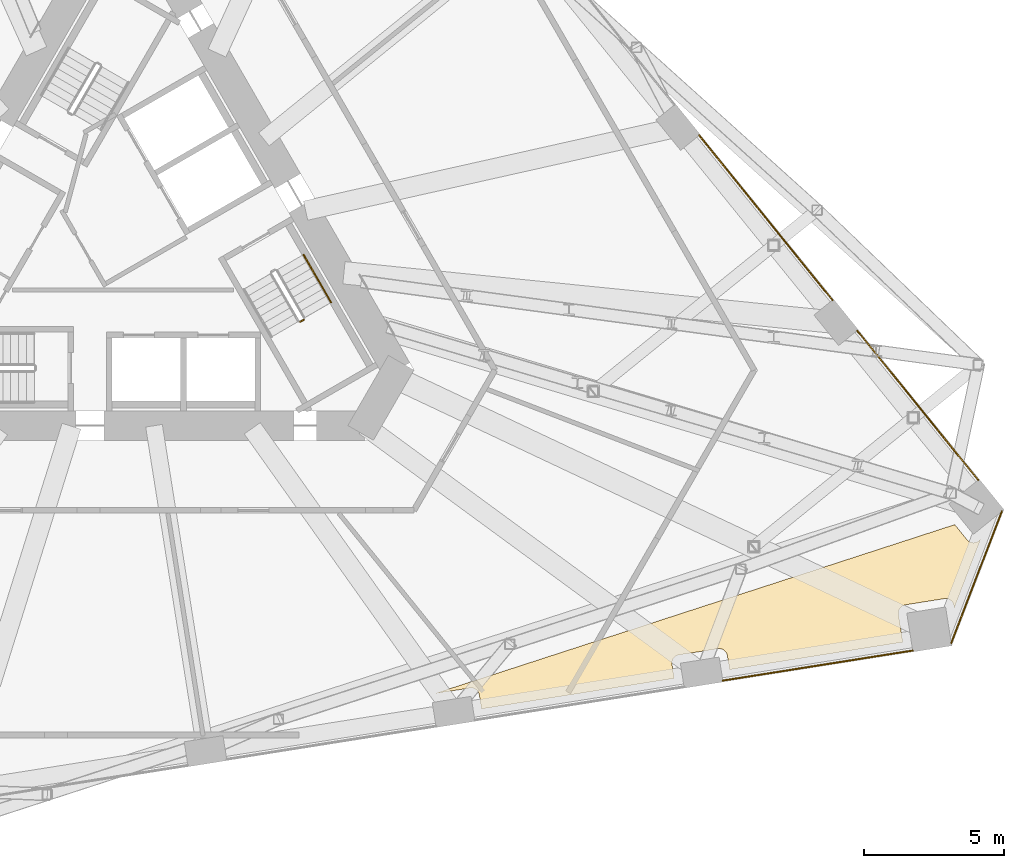
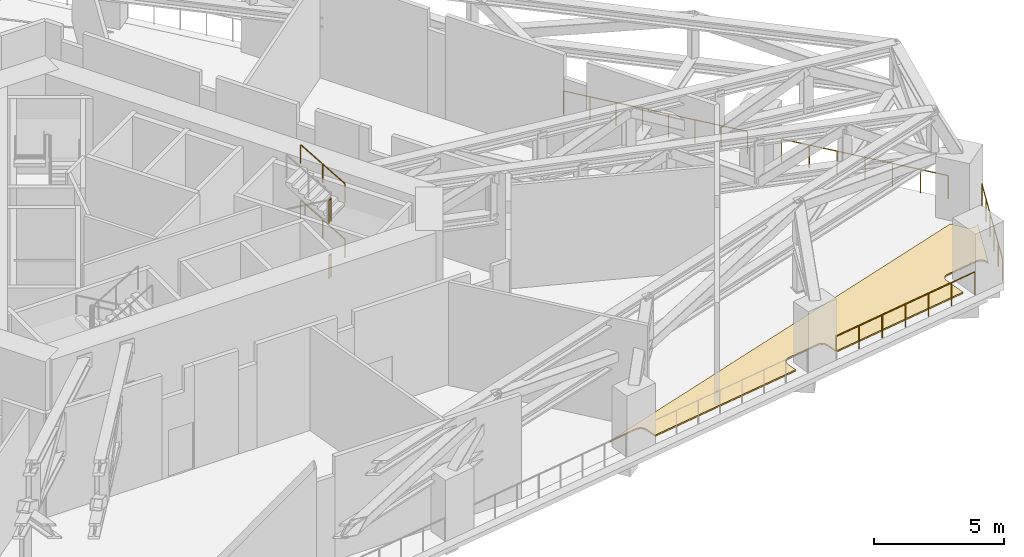
# One storey, part 19 of 20: 8 railings, 2 coverings.
"""IFC4 building model written with IfcOpenShell, lengths in metres."""

from ifc_helpers import new_model, si_unit, direction, frame, origin, origin_2d, place, context, subcontext, project, spatial, polyline, circle, outline, extrude, material, layer, layer_set, type_object, element, save


model = new_model("IFC4")

# Units and contexts
model_context = context("Model", 3, precision=1e-05, world=origin(), true_north=direction((0.0, 1.0)))
body_context = subcontext(model_context, "Body", "Model", "MODEL_VIEW")
ifc_project = project(units=[si_unit("LENGTHUNIT", "METRE"), si_unit("AREAUNIT", "SQUARE_METRE"), si_unit("VOLUMEUNIT", "CUBIC_METRE"), si_unit("PLANEANGLEUNIT", "RADIAN"), si_unit("MASSUNIT", "GRAM", prefix="KILO")], contexts=[model_context])

# Site, building, storey
site_placement = place(None, origin())
site = spatial("IfcSite", under=ifc_project, at=site_placement, CompositionType="ELEMENT")
building_placement = place(site_placement, origin())
building = spatial("IfcBuilding", under=site, at=building_placement, Name="Tramontana Tower", CompositionType="ELEMENT")
storey_placement = place(building_placement, frame((0.0, 0.0, 83.199951171875)))
storey = spatial("IfcBuildingStorey", under=building, at=storey_placement, Name="L18", CompositionType="ELEMENT", Elevation=83.199951171875)

# Railings
ifc_material_1 = material(Name="Stainless steel rail and posts", Category="steel")
railing_type_1 = type_object("IfcRailingType", Name="GD2 Terrace guard 1100", PredefinedType="GUARDRAIL", material=ifc_material_1)
railing_1_placement = place(storey_placement, frame((25.161376953125, -1.75439453125, 0.0)))
element("IfcRailing", 1, at=railing_1_placement, inside=storey, type_object=railing_type_1, Name="Edge guard L18 18", PredefinedType="GUARDRAIL", context=body_context, shape_type="SweptSolid", body=[
    extrude(circle(Radius=0.02392578125, at=origin_2d()), frame((0.0, 0.0, 1.076171875), z_axis=(-0.629318236282, 0.777147706349, 0.0), x_axis=(-0.777147706349, -0.629318236282, 0.0)), (0.0, 0.0, 1.0), 7.549072265625),
    extrude(circle(Radius=0.02099609375, at=origin_2d()), origin(), (0.0, 0.0, 1.0), 1.052001953125),
    extrude(circle(Radius=0.02099609375, at=origin_2d()), frame((-0.6787109375, 0.838134765625, 0.0)), (0.0, 0.0, 1.0), 1.052001953125),
    extrude(circle(Radius=0.02099609375, at=origin_2d()), frame((-1.357421875, 1.67626953125, 0.0)), (0.0, 0.0, 1.0), 1.052001953125),
    extrude(circle(Radius=0.02099609375, at=origin_2d()), frame((-2.0361328125, 2.514404296875, 0.0)), (0.0, 0.0, 1.0), 1.052001953125),
    extrude(circle(Radius=0.02099609375, at=origin_2d()), frame((-2.714599609375, 3.352294921875, 0.0)), (0.0, 0.0, 1.0), 1.052001953125),
    extrude(circle(Radius=0.02099609375, at=origin_2d()), frame((-3.393310546875, 4.1904296875, 0.0)), (0.0, 0.0, 1.0), 1.052001953125),
    extrude(circle(Radius=0.02099609375, at=origin_2d()), frame((-4.072021484375, 5.028564453125, 0.0)), (0.0, 0.0, 1.0), 1.052001953125),
    extrude(circle(Radius=0.02099609375, at=origin_2d()), frame((-4.750732421875, 5.86669921875, 0.0)), (0.0, 0.0, 1.0), 1.052001953125),
])
railing_2_placement = place(storey_placement, frame((21.255126953125, -15.3134765625, 0.0)))
element("IfcRailing", 2, at=railing_2_placement, inside=storey, type_object=railing_type_1, Name="Edge guard L18 19", PredefinedType="GUARDRAIL", context=body_context, shape_type="SweptSolid", body=[
    extrude(circle(Radius=0.02392578125, at=origin_2d()), frame((0.0, 0.0, 1.076171875), z_axis=(0.987691182792, 0.156416519059, 0.0), x_axis=(-0.156416519059, 0.987691182792, 0.0)), (0.0, 0.0, 1.0), 6.848876953125),
    extrude(circle(Radius=0.02099609375, at=origin_2d()), origin(), (0.0, 0.0, 1.0), 1.052001953125),
    extrude(circle(Radius=0.02099609375, at=origin_2d()), frame((1.12744140625, 0.178466796875, 0.0)), (0.0, 0.0, 1.0), 1.052001953125),
    extrude(circle(Radius=0.02099609375, at=origin_2d()), frame((2.2548828125, 0.357177734375, 0.0)), (0.0, 0.0, 1.0), 1.052001953125),
    extrude(circle(Radius=0.02099609375, at=origin_2d()), frame((3.38232421875, 0.53564453125, 0.0)), (0.0, 0.0, 1.0), 1.052001953125),
    extrude(circle(Radius=0.02099609375, at=origin_2d()), frame((4.509765625, 0.714111328125, 0.0)), (0.0, 0.0, 1.0), 1.052001953125),
    extrude(circle(Radius=0.02099609375, at=origin_2d()), frame((5.63720703125, 0.892822265625, 0.0)), (0.0, 0.0, 1.0), 1.052001953125),
    extrude(circle(Radius=0.02099609375, at=origin_2d()), frame((6.7646484375, 1.0712890625, 0.0)), (0.0, 0.0, 1.0), 1.052001953125),
])
railing_3_placement = place(storey_placement, frame((30.3525390625, -8.164794921875, 0.0)))
element("IfcRailing", 3, at=railing_3_placement, inside=storey, type_object=railing_type_1, Name="Edge guard L18 20", PredefinedType="GUARDRAIL", context=body_context, shape_type="SweptSolid", body=[
    extrude(circle(Radius=0.02392578125, at=origin_2d()), frame((0.0, 0.0, 1.076171875), z_axis=(-0.629339730135, 0.777130300576, 0.0), x_axis=(-0.777130300576, -0.629339730135, 0.0)), (0.0, 0.0, 1.0), 6.848876953125),
    extrude(circle(Radius=0.02099609375, at=origin_2d()), origin(), (0.0, 0.0, 1.0), 1.052001953125),
    extrude(circle(Radius=0.02099609375, at=origin_2d()), frame((-0.71826171875, 0.88720703125, 0.0)), (0.0, 0.0, 1.0), 1.052001953125),
    extrude(circle(Radius=0.02099609375, at=origin_2d()), frame((-1.436767578125, 1.774169921875, 0.0)), (0.0, 0.0, 1.0), 1.052001953125),
    extrude(circle(Radius=0.02099609375, at=origin_2d()), frame((-2.1552734375, 2.6611328125, 0.0)), (0.0, 0.0, 1.0), 1.052001953125),
    extrude(circle(Radius=0.02099609375, at=origin_2d()), frame((-2.87353515625, 3.54833984375, 0.0)), (0.0, 0.0, 1.0), 1.052001953125),
    extrude(circle(Radius=0.02099609375, at=origin_2d()), frame((-3.591796875, 4.435546875, 0.0)), (0.0, 0.0, 1.0), 1.052001953125),
    extrude(circle(Radius=0.02099609375, at=origin_2d()), frame((-4.310302734375, 5.322509765625, 0.0)), (0.0, 0.0, 1.0), 1.052001953125),
])
railing_4_placement = place(storey_placement, frame((29.39453125, -13.9736328125, 0.0)))
element("IfcRailing", 4, at=railing_4_placement, inside=storey, type_object=railing_type_1, Name="Edge guard L18 21", PredefinedType="GUARDRAIL", context=body_context, shape_type="SweptSolid", body=[
    extrude(circle(Radius=0.02392578125, at=origin_2d()), frame((0.0, 0.0, 1.076171875), z_axis=(0.358415543075, 0.933562155661, 0.0), x_axis=(-0.933562155661, 0.358415543075, 0.0)), (0.0, 0.0, 1.0), 5.02294921875),
    extrude(circle(Radius=0.02099609375, at=origin_2d()), origin(), (0.0, 0.0, 1.0), 1.052001953125),
    extrude(circle(Radius=0.02099609375, at=origin_2d()), frame((0.360107421875, 0.937744140625, 0.0)), (0.0, 0.0, 1.0), 1.052001953125),
    extrude(circle(Radius=0.02099609375, at=origin_2d()), frame((0.72021484375, 1.875732421875, 0.0)), (0.0, 0.0, 1.0), 1.052001953125),
    extrude(circle(Radius=0.02099609375, at=origin_2d()), frame((1.080078125, 2.8134765625, 0.0)), (0.0, 0.0, 1.0), 1.052001953125),
    extrude(circle(Radius=0.02099609375, at=origin_2d()), frame((1.440185546875, 3.75146484375, 0.0)), (0.0, 0.0, 1.0), 1.052001953125),
    extrude(circle(Radius=0.02099609375, at=origin_2d()), frame((1.80029296875, 4.689208984375, 0.0)), (0.0, 0.0, 1.0), 1.052001953125),
])

# Covering
ifc_material_2 = material(Name="Limestone paving 60", Category="masonry")
ifc_layer_1 = layer(ifc_material_2, 0.06005859375)
ifc_layer_set_1 = layer_set([ifc_layer_1], Name="PV1 Terrace paving 60")
covering_type_1 = type_object("IfcCoveringType", Name="PV1 Terrace paving 60", PredefinedType="FLOORING", material=ifc_layer_set_1)
covering_1_placement = place(storey_placement, frame((0.0, 0.0, 0.010009765625)))
element("IfcCovering", 5, at=covering_1_placement, inside=storey, type_object=covering_type_1, Name="Terrace paving L18 3", PredefinedType="FLOORING", context=body_context, shape_type="SweptSolid", body=[
    extrude(outline(polyline([(29.500244140625, -12.72216796875), (29.487548828125, -12.642822265625), (29.481689453125, -12.614013671875), (29.47265625, -12.5859375), (29.461181640625, -12.558837890625), (29.447021484375, -12.532958984375), (29.430419921875, -12.508544921875), (29.41162109375, -12.486083984375), (29.390625, -12.465576171875), (29.36767578125, -12.447021484375), (29.343017578125, -12.430908203125), (29.31689453125, -12.417236328125), (29.28955078125, -12.40625), (29.26123046875, -12.39794921875), (29.232421875, -12.392578125), (29.203125, -12.389892578125), (29.173583984375, -12.39013671875), (29.144287109375, -12.393310546875), (27.761474609375, -12.6123046875), (27.732666015625, -12.618408203125), (27.70458984375, -12.627197265625), (27.677490234375, -12.638671875), (27.65185546875, -12.65283203125), (27.62744140625, -12.66943359375), (27.60498046875, -12.6884765625), (27.584228515625, -12.70947265625), (27.56591796875, -12.732421875), (27.5498046875, -12.757080078125), (27.5361328125, -12.783203125), (27.525146484375, -12.810546875), (27.516845703125, -12.838623046875), (27.511474609375, -12.86767578125), (27.5087890625, -12.89697265625), (27.509033203125, -12.92626953125), (27.51220703125, -12.95556640625), (27.668701171875, -13.943359375), (21.49658203125, -14.9208984375), (21.41845703125, -14.427001953125), (21.412353515625, -14.398193359375), (21.403564453125, -14.3701171875), (21.39208984375, -14.343017578125), (21.3779296875, -14.317138671875), (21.361328125, -14.29296875), (21.342529296875, -14.270263671875), (21.3212890625, -14.249755859375), (21.298583984375, -14.231201171875), (21.27392578125, -14.215087890625), (21.247802734375, -14.201416015625), (21.220458984375, -14.1904296875), (21.192138671875, -14.182373046875), (21.163330078125, -14.1767578125), (21.134033203125, -14.17431640625), (21.1044921875, -14.174560546875), (21.0751953125, -14.177734375), (19.6923828125, -14.396728515625), (19.66357421875, -14.402587890625), (19.635498046875, -14.41162109375), (19.6083984375, -14.423095703125), (19.58251953125, -14.437255859375), (19.558349609375, -14.453857421875), (19.53564453125, -14.47265625), (19.51513671875, -14.49365234375), (19.49658203125, -14.5166015625), (19.48046875, -14.541259765625), (19.467041015625, -14.5673828125), (19.455810546875, -14.5947265625), (19.44775390625, -14.623046875), (19.442138671875, -14.65185546875), (19.439697265625, -14.68115234375), (19.43994140625, -14.710693359375), (19.443115234375, -14.739990234375), (19.521240234375, -15.233642578125), (12.657958984375, -16.32080078125), (12.57958984375, -15.826904296875), (12.57373046875, -15.798095703125), (12.56494140625, -15.77001953125), (12.55322265625, -15.742919921875), (12.5390625, -15.717041015625), (12.5224609375, -15.69287109375), (12.503662109375, -15.670166015625), (12.482666015625, -15.649658203125), (12.459716796875, -15.631103515625), (12.43505859375, -15.614990234375), (12.408935546875, -15.6015625), (12.381591796875, -15.59033203125), (12.353515625, -15.582275390625), (12.324462890625, -15.57666015625), (12.295166015625, -15.57421875), (12.265625, -15.574462890625), (12.236572265625, -15.57763671875), (10.996337890625, -15.77392578125), (29.517822265625, -9.756103515625), (29.951171875, -10.291259765625), (29.970947265625, -10.313232421875), (29.99267578125, -10.333251953125), (30.01611328125, -10.350830078125), (30.041259765625, -10.3662109375), (30.06787109375, -10.37890625), (30.095458984375, -10.388916015625), (30.1240234375, -10.396240234375), (30.153076171875, -10.40087890625), (30.182373046875, -10.402587890625), (30.2119140625, -10.401123046875), (30.240966796875, -10.397216796875), (30.26953125, -10.39013671875), (30.29736328125, -10.38037109375), (30.32421875, -10.367919921875), (30.349365234375, -10.35302734375), (30.373291015625, -10.335693359375), (30.435791015625, -10.28515625), (29.500244140625, -12.72216796875)])), origin(), (0.0, 0.0, 1.0), 0.06005859375),
])

# Railings
ifc_material_3 = material(Name="Painted steel", Category="steel")
railing_type_2 = type_object("IfcRailingType", Name="STAIR GUARD 1100", PredefinedType="GUARDRAIL", material=ifc_material_3)
for number, where, name in (
    (6, (6.19580078125, -2.53125, 1.300048828125), "L18 ST3 stair guard 5"),
    (7, (6.19580078125, -2.53125, 3.900146484375), "L18 ST3 stair guard 7"),
):
    element("IfcRailing", number, at=place(storey_placement, frame(where)), inside=storey, type_object=railing_type_2, Name=name, PredefinedType="GUARDRAIL", context=body_context, shape_type="SweptSolid", body=[
        extrude(circle(Radius=0.02392578125, at=origin_2d()), frame((0.0, 0.0, 1.076171875), z_axis=(0.866131372301, 0.499816412211, 0.0), x_axis=(-0.499816412211, 0.866131372301, 0.0)), (0.0, 0.0, 1.0), 0.14990234375),
        extrude(circle(Radius=0.02099609375, at=origin_2d()), origin(), (0.0, 0.0, 1.0), 1.052001953125),
        extrude(circle(Radius=0.02099609375, at=origin_2d()), frame((0.1298828125, 0.074951171875, 0.0)), (0.0, 0.0, 1.0), 1.052001953125),
    ])
ifc_material_4 = material(Name="Painted steel", Category="steel")
railing_type_3 = type_object("IfcRailingType", Name="STAIR HANDRAIL 900", PredefinedType="HANDRAIL", material=ifc_material_4)
for number, where, name in (
    (8, (7.296630859375, -1.837890625, 1.462646484375), "L18 ST3 stair handrail 2"),
    (9, (7.296630859375, -1.837890625, 4.0625), "L18 ST3 stair handrail 4"),
):
    element("IfcRailing", number, at=place(storey_placement, frame(where)), inside=storey, type_object=railing_type_3, Name=name, PredefinedType="HANDRAIL", context=body_context, shape_type="SweptSolid", body=[
        extrude(circle(Radius=0.02392578125, at=origin_2d()), frame((0.0, 0.0, 0.8759765625), z_axis=(-0.432466826973, 0.749005824891, 0.501958880634), x_axis=(-0.866011328839, -0.500024377727, 0.0)), (0.0, 0.0, 1.0), 2.26611328125),
        extrude(circle(Radius=0.02099609375, at=origin_2d()), origin(), (0.0, 0.0, 1.0), 0.851806640625),
        extrude(circle(Radius=0.02099609375, at=origin_2d()), frame((-0.489990234375, 0.8486328125, 0.56884765625)), (0.0, 0.0, 1.0), 0.851806640625),
        extrude(circle(Radius=0.02099609375, at=origin_2d()), frame((-0.97998046875, 1.697265625, 1.137451171875)), (0.0, 0.0, 1.0), 0.851806640625),
    ])

# Covering
ifc_material_5 = material(Name="Bituminous waterproofing membrane")
ifc_layer_2 = layer(ifc_material_5, 0.010009765625)
ifc_layer_set_2 = layer_set([ifc_layer_2], Name="WP1 Terrace waterproofing membrane 10")
covering_type_2 = type_object("IfcCoveringType", Name="WP1 Terrace waterproofing membrane 10", PredefinedType="MEMBRANE", material=ifc_layer_set_2)
covering_2_placement = place(storey_placement, origin())
element("IfcCovering", 10, at=covering_2_placement, inside=storey, type_object=covering_type_2, Name="Terrace membrane L18 3", PredefinedType="MEMBRANE", context=body_context, shape_type="SweptSolid", body=[
    extrude(outline(polyline([(29.500244140625, -12.72216796875), (29.487548828125, -12.642822265625), (29.481689453125, -12.614013671875), (29.47265625, -12.5859375), (29.461181640625, -12.558837890625), (29.447021484375, -12.532958984375), (29.430419921875, -12.508544921875), (29.41162109375, -12.486083984375), (29.390625, -12.465576171875), (29.36767578125, -12.447021484375), (29.343017578125, -12.430908203125), (29.31689453125, -12.417236328125), (29.28955078125, -12.40625), (29.26123046875, -12.39794921875), (29.232421875, -12.392578125), (29.203125, -12.389892578125), (29.173583984375, -12.39013671875), (29.144287109375, -12.393310546875), (27.761474609375, -12.6123046875), (27.732666015625, -12.618408203125), (27.70458984375, -12.627197265625), (27.677490234375, -12.638671875), (27.65185546875, -12.65283203125), (27.62744140625, -12.66943359375), (27.60498046875, -12.6884765625), (27.584228515625, -12.70947265625), (27.56591796875, -12.732421875), (27.5498046875, -12.757080078125), (27.5361328125, -12.783203125), (27.525146484375, -12.810546875), (27.516845703125, -12.838623046875), (27.511474609375, -12.86767578125), (27.5087890625, -12.89697265625), (27.509033203125, -12.92626953125), (27.51220703125, -12.95556640625), (27.668701171875, -13.943359375), (21.49658203125, -14.9208984375), (21.41845703125, -14.427001953125), (21.412353515625, -14.398193359375), (21.403564453125, -14.3701171875), (21.39208984375, -14.343017578125), (21.3779296875, -14.317138671875), (21.361328125, -14.29296875), (21.342529296875, -14.270263671875), (21.3212890625, -14.249755859375), (21.298583984375, -14.231201171875), (21.27392578125, -14.215087890625), (21.247802734375, -14.201416015625), (21.220458984375, -14.1904296875), (21.192138671875, -14.182373046875), (21.163330078125, -14.1767578125), (21.134033203125, -14.17431640625), (21.1044921875, -14.174560546875), (21.0751953125, -14.177734375), (19.6923828125, -14.396728515625), (19.66357421875, -14.402587890625), (19.635498046875, -14.41162109375), (19.6083984375, -14.423095703125), (19.58251953125, -14.437255859375), (19.558349609375, -14.453857421875), (19.53564453125, -14.47265625), (19.51513671875, -14.49365234375), (19.49658203125, -14.5166015625), (19.48046875, -14.541259765625), (19.467041015625, -14.5673828125), (19.455810546875, -14.5947265625), (19.44775390625, -14.623046875), (19.442138671875, -14.65185546875), (19.439697265625, -14.68115234375), (19.43994140625, -14.710693359375), (19.443115234375, -14.739990234375), (19.521240234375, -15.233642578125), (12.657958984375, -16.32080078125), (12.57958984375, -15.826904296875), (12.57373046875, -15.798095703125), (12.56494140625, -15.77001953125), (12.55322265625, -15.742919921875), (12.5390625, -15.717041015625), (12.5224609375, -15.69287109375), (12.503662109375, -15.670166015625), (12.482666015625, -15.649658203125), (12.459716796875, -15.631103515625), (12.43505859375, -15.614990234375), (12.408935546875, -15.6015625), (12.381591796875, -15.59033203125), (12.353515625, -15.582275390625), (12.324462890625, -15.57666015625), (12.295166015625, -15.57421875), (12.265625, -15.574462890625), (12.236572265625, -15.57763671875), (10.996337890625, -15.77392578125), (29.517822265625, -9.756103515625), (29.951171875, -10.291259765625), (29.970947265625, -10.313232421875), (29.99267578125, -10.333251953125), (30.01611328125, -10.350830078125), (30.041259765625, -10.3662109375), (30.06787109375, -10.37890625), (30.095458984375, -10.388916015625), (30.1240234375, -10.396240234375), (30.153076171875, -10.40087890625), (30.182373046875, -10.402587890625), (30.2119140625, -10.401123046875), (30.240966796875, -10.397216796875), (30.26953125, -10.39013671875), (30.29736328125, -10.38037109375), (30.32421875, -10.367919921875), (30.349365234375, -10.35302734375), (30.373291015625, -10.335693359375), (30.435791015625, -10.28515625), (29.500244140625, -12.72216796875)])), origin(), (0.0, 0.0, 1.0), 0.010009765625),
])

save(model, "model.ifc")
